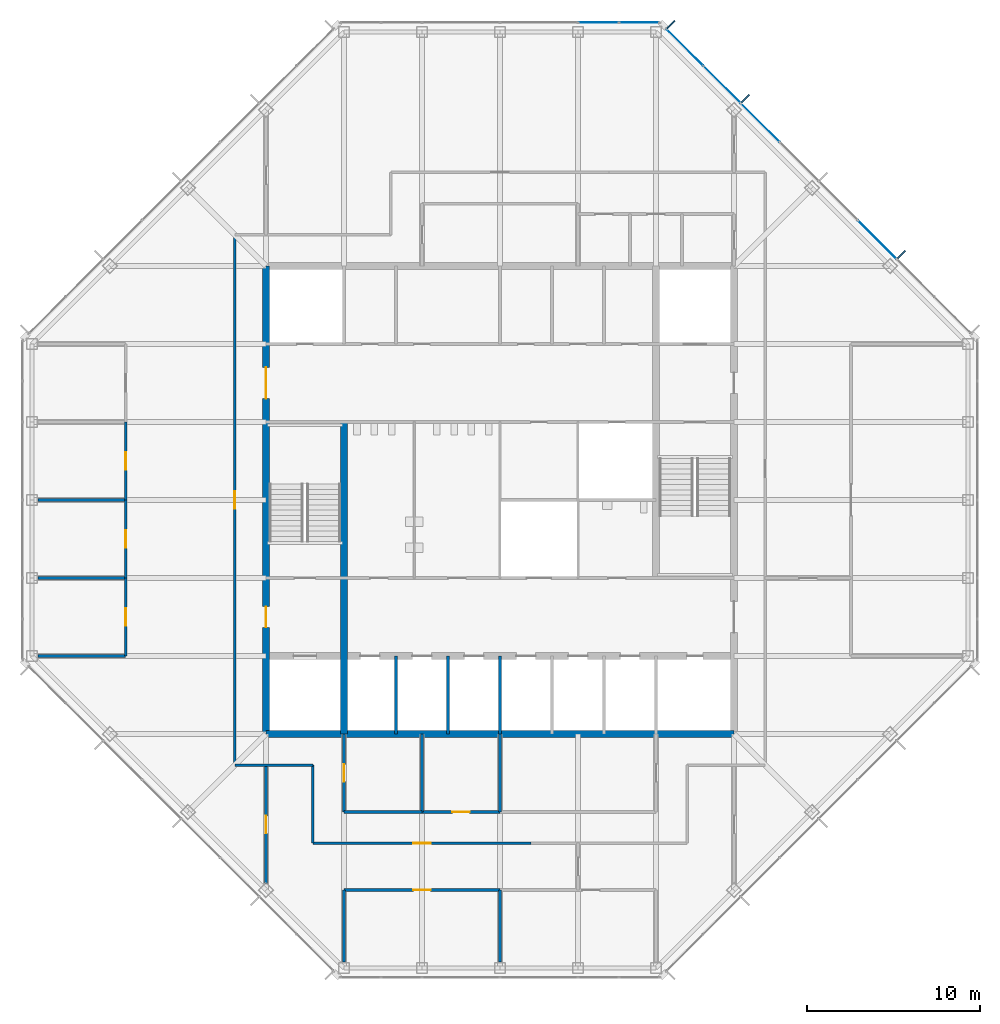
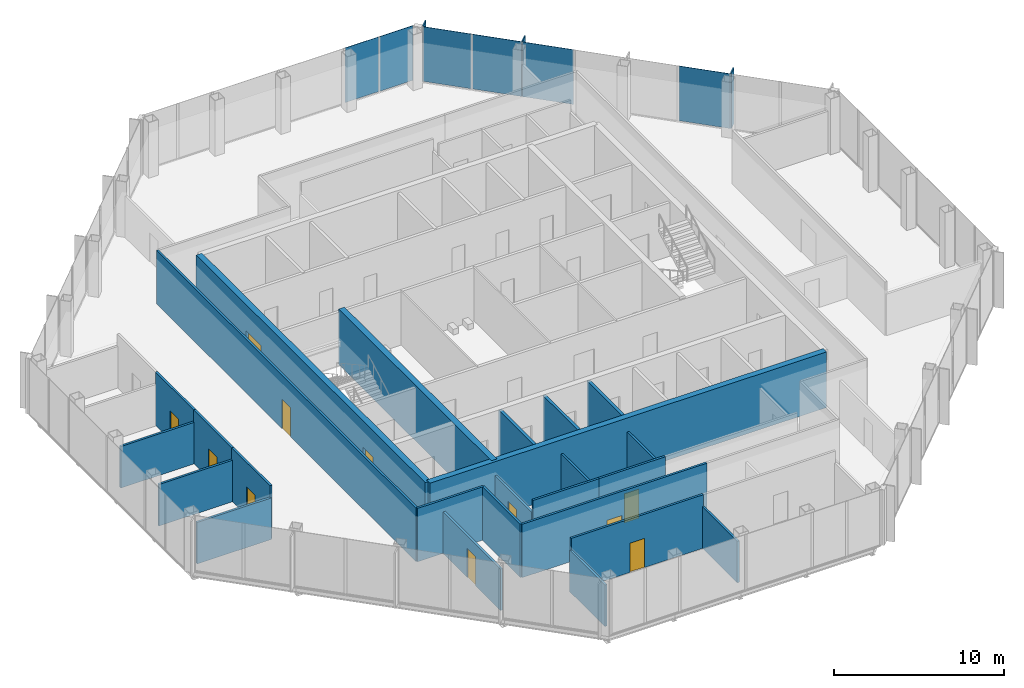
# One storey, part 9 of 14: 25 walls, 11 doors, 9 plates, 11 openings, 2 elements without a shape of their own.
"""IFC4 building model written with IfcOpenShell, lengths in metres."""

from ifc_helpers import new_model, si_unit, direction, frame, frame_2d, origin, origin_2d, place, context, subcontext, project, spatial, rectangle, extrude, material, layer, layer_set, type_object, element, fill, aggregate, save


model = new_model("IFC4")

# Units and contexts
model_context = context("Model", 3, precision=1e-05, world=origin(), true_north=direction((0.0, 1.0)))
body_context = subcontext(model_context, "Body", "Model", "MODEL_VIEW")
ifc_project = project(units=[si_unit("LENGTHUNIT", "METRE"), si_unit("AREAUNIT", "SQUARE_METRE"), si_unit("VOLUMEUNIT", "CUBIC_METRE"), si_unit("PLANEANGLEUNIT", "RADIAN"), si_unit("MASSUNIT", "GRAM", prefix="KILO")], contexts=[model_context])

# Site, building, storey
site_placement = place(None, origin())
site = spatial("IfcSite", under=ifc_project, at=site_placement, CompositionType="ELEMENT")
building_placement = place(site_placement, origin())
building = spatial("IfcBuilding", under=site, at=building_placement, Name="Corais Broadcast Tower", CompositionType="ELEMENT")
storey_placement = place(building_placement, frame((0.0, 0.0, 234.60009765625)))
storey = spatial("IfcBuildingStorey", under=building, at=storey_placement, Name="L54", CompositionType="ELEMENT", Elevation=234.60009765625)

# Curtain wall, plate
ifc_material_1 = material(Name="Aluminium and glass", Category="aluminium")
curtain_wall_type = type_object("IfcCurtainWallType", Name="Unitised fritted curtain wall CW3", PredefinedType="NOTDEFINED", material=ifc_material_1)
curtain_wall_1_placement = place(storey_placement, origin())
curtain_wall_1 = element("IfcCurtainWall", 1, at=curtain_wall_1_placement, inside=storey, type_object=curtain_wall_type, Name="CW3 curtain wall L54 4", PredefinedType="NOTDEFINED")
ifc_material_2 = material(Name="Ceramic-fritted laminated glass", Category="glass")
ifc_layer_1 = layer(ifc_material_2, 0.02587890625)
ifc_layer_set_1 = layer_set([ifc_layer_1], Name="Ceramic-fritted laminated glass")
plate_type_1 = type_object("IfcPlateType", Name="Fritted glass panel CW3", PredefinedType="CURTAIN_PANEL", material=ifc_layer_set_1)
plate_1_placement = place(storey_placement, frame((32.681884765625, 54.550048828125, 0.06494140625), z_axis=(0.0, 0.0, 1.0), x_axis=(1.0, 0.0, 0.0)))
plate_1 = element("IfcPlate", 2, at=plate_1_placement, type_object=plate_type_1, Name="CW3 panel 5", PredefinedType="CURTAIN_PANEL", context=body_context, shape_type="SweptSolid", body=[
    extrude(rectangle(XDim=2.298828125, YDim=0.02587890625, at=origin_2d()), origin(), (0.0, 0.0, 1.0), 3.93505859375),
])

# Curtain wall, plates
curtain_wall_2_placement = place(storey_placement, origin())
curtain_wall_2 = element("IfcCurtainWall", 3, at=curtain_wall_2_placement, inside=storey, type_object=curtain_wall_type, Name="CW3 curtain wall L54 5", PredefinedType="NOTDEFINED")
plate_2_placement = place(storey_placement, frame((37.669677734375, 53.108154296875, 0.06494140625), z_axis=(0.0, 0.0, 1.0), x_axis=(0.707106781187, -0.707106781187, 0.0)))
plate_2 = element("IfcPlate", 4, at=plate_2_placement, type_object=plate_type_1, Name="CW3 panel 1", PredefinedType="CURTAIN_PANEL", context=body_context, shape_type="SweptSolid", body=[
    extrude(rectangle(XDim=2.9482421875, YDim=0.02587890625, at=origin_2d()), origin(), (0.0, 0.0, 1.0), 3.93505859375),
])
plate_3_placement = place(storey_placement, frame((42.013916015625, 48.763916015625, 0.06494140625), z_axis=(0.0, 0.0, 1.0), x_axis=(0.707106781187, -0.707106781187, 0.0)))
plate_3 = element("IfcPlate", 5, at=plate_3_placement, type_object=plate_type_1, Name="CW3 panel 3", PredefinedType="CURTAIN_PANEL", context=body_context, shape_type="SweptSolid", body=[
    extrude(rectangle(XDim=3.116943359375, YDim=0.02587890625, at=origin_2d()), origin(), (0.0, 0.0, 1.0), 3.93505859375),
])

# Plate
ifc_material_3 = material(Name="Clear laminated glass", Category="glass")
ifc_layer_2 = layer(ifc_material_3, 0.030029296875)
ifc_layer_set_2 = layer_set([ifc_layer_2], Name="Clear laminated glass")
plate_type_2 = type_object("IfcPlateType", Name="Operable glass panel CW3", PredefinedType="CURTAIN_PANEL", material=ifc_layer_set_2)
plate_4_placement = place(storey_placement, frame((35.029541015625, 54.550048828125, 0.06494140625), z_axis=(0.0, 0.0, 1.0), x_axis=(1.0, 0.0, 0.0)))
plate_4 = element("IfcPlate", 6, at=plate_4_placement, type_object=plate_type_2, Name="CW3 operable panel 6", PredefinedType="CURTAIN_PANEL", context=body_context, shape_type="SweptSolid", body=[
    extrude(rectangle(XDim=2.266357421875, YDim=0.030029296875, at=origin_2d()), origin(), (0.0, 0.0, 1.0), 3.93505859375),
])

aggregate(curtain_wall_1, [plate_1, plate_4])

plate_5_placement = place(storey_placement, frame((39.81201171875, 50.9658203125, 0.06494140625), z_axis=(0.0, 0.0, 1.0), x_axis=(0.707106781187, -0.707106781187, 0.0)))
plate_5 = element("IfcPlate", 7, at=plate_5_placement, type_object=plate_type_2, Name="CW3 operable panel 2", PredefinedType="CURTAIN_PANEL", context=body_context, shape_type="SweptSolid", body=[
    extrude(rectangle(XDim=2.98095703125, YDim=0.030029296875, at=origin_2d()), origin(), (0.0, 0.0, 1.0), 3.93505859375),
])

plate_6_placement = place(storey_placement, frame((48.763916015625, 42.013916015625, 0.06494140625), z_axis=(0.0, 0.0, 1.0), x_axis=(0.707106781187, -0.707106781187, 0.0)))
plate_6 = element("IfcPlate", 8, at=plate_6_placement, type_object=plate_type_2, Name="CW3 operable panel 6", PredefinedType="CURTAIN_PANEL", context=body_context, shape_type="SweptSolid", body=[
    extrude(rectangle(XDim=3.116943359375, YDim=0.030029296875, at=origin_2d()), origin(), (0.0, 0.0, 1.0), 3.93505859375),
])

aggregate(curtain_wall_2, [plate_2, plate_5, plate_3, plate_6])

# Plates
ifc_material_4 = material(Name="Granite stone cladding", Category="masonry")
ifc_layer_3 = layer(ifc_material_4, 0.080078125)
ifc_layer_set_3 = layer_set([ifc_layer_3], Name="Granite stone cladding")
plate_type_3 = type_object("IfcPlateType", Name="Stone screen fin 80x600", PredefinedType="USERDEFINED", material=ifc_layer_set_3)
for number, where, z_axis, x_axis, name in (
    (9, (36.870849609375, 54.43994140625, 0.0), (0.0, 0.0, 1.0), (0.707106781187, -0.707106781187, 0.0), "SF1 stone screen fin L54"),
    (10, (41.155517578125, 50.155517578125, 0.0), (0.0, 0.0, 1.0), (0.707106781187, -0.707106781187, 0.0), "SF1 stone screen fin L54"),
    (11, (50.155517578125, 41.155517578125, 0.0), (0.0, 0.0, 1.0), (0.707106781187, -0.707106781187, 0.0), "SF1 stone screen fin L54"),
):
    element("IfcPlate", number, at=place(storey_placement, frame(where, z_axis=z_axis, x_axis=x_axis)), inside=storey, type_object=plate_type_3, Name=name, ObjectType="STONE SCREEN FIN", PredefinedType="USERDEFINED", context=body_context, shape_type="SweptSolid", body=[
        extrude(rectangle(XDim=0.080078125, YDim=0.60009765625, at=origin_2d()), origin(), (0.0, 0.0, 1.0), 4.0),
    ])

# Wall
ifc_material_5 = material(Name="Concrete C50/60", Category="concrete")
ifc_layer_4 = layer(ifc_material_5, 0.39990234375)
ifc_layer_set_4 = layer_set([ifc_layer_4], Name="Concrete C50/60")
wall_type_1 = type_object("IfcWallType", Name="Core wall 400", PredefinedType="SHEAR", material=ifc_layer_set_4)
wall_1_placement = place(storey_placement, frame((13.5, 13.5, 0.0), z_axis=(0.0, 0.0, 1.0), x_axis=(1.0, 0.0, 0.0)))
element("IfcWall", 12, at=wall_1_placement, inside=storey, type_object=wall_type_1, Name="CR400 core wall S L54", PredefinedType="SHEAR", context=body_context, shape_type="SweptSolid", body=[
    extrude(rectangle(XDim=27.0, YDim=0.39990234375, at=frame_2d((13.5, 0.0))), origin(), (0.0, 0.0, 1.0), 4.0),
])

# Wall, openings, doors
wall_2_placement = place(storey_placement, frame((13.5, 40.5, 0.0), z_axis=(0.0, 0.0, 1.0), x_axis=(0.0, -1.0, 0.0)))
wall_2 = element("IfcWall", 13, at=wall_2_placement, inside=storey, type_object=wall_type_1, Name="CR400 core wall W L54", PredefinedType="SHEAR", context=body_context, shape_type="SweptSolid", body=[
    extrude(rectangle(XDim=27.0, YDim=0.39990234375, at=frame_2d((13.5, 0.0))), origin(), (0.0, 0.0, 1.0), 4.0),
])
opening_1_placement = place(wall_2_placement, frame((19.64990234375, 0.0, 0.0)))
opening_1 = element("IfcOpeningElement", 14, at=opening_1_placement, cuts=wall_2, Name="Opening FD1", PredefinedType="OPENING", context=body_context, shape_type="SweptSolid", body=[
    extrude(rectangle(XDim=1.199951171875, YDim=2.10009765625, at=frame_2d((0.60009765625, 1.050048828125))), frame((0.0, 0.2099609375, 0.0), z_axis=(0.0, -1.0, 0.0), x_axis=(1.0, 0.0, 0.0)), (0.0, 0.0, 1.0), 0.419921875),
])
opening_2_placement = place(wall_2_placement, frame((5.85009765625, 0.0, 0.0)))
opening_2 = element("IfcOpeningElement", 15, at=opening_2_placement, cuts=wall_2, Name="Opening FD2", PredefinedType="OPENING", context=body_context, shape_type="SweptSolid", body=[
    extrude(rectangle(XDim=1.800048828125, YDim=2.10009765625, at=frame_2d((0.89990234375, 1.050048828125))), frame((0.0, 0.2099609375, 0.0), z_axis=(0.0, -1.0, 0.0), x_axis=(1.0, 0.0, 0.0)), (0.0, 0.0, 1.0), 0.419921875),
])
ifc_material_6 = material(Name="Steel fire door", Category="steel")
door_type_1 = type_object("IfcDoorType", Name="Fire door 1200x2100", OperationType="SINGLE_SWING_LEFT", PredefinedType="DOOR", material=ifc_material_6)
door_1_placement = place(opening_1_placement, origin())
door_1 = element("IfcDoor", 16, at=door_1_placement, inside=storey, type_object=door_type_1, Name="FD1 fire lobby A door L54", OperationType="SINGLE_SWING_RIGHT", OverallHeight=2.10009765625, OverallWidth=1.199951171875, PredefinedType="DOOR", context=body_context, shape_type="SweptSolid", body=[
    extrude(rectangle(XDim=1.199951171875, YDim=2.10009765625, at=frame_2d((0.60009765625, 1.050048828125))), frame((0.0, 0.02490234375, 0.0), z_axis=(0.0, -1.0, 0.0), x_axis=(1.0, 0.0, 0.0)), (0.0, 0.0, 1.0), 0.050048828125),
])
fill(opening_1, door_1)
ifc_material_7 = material(Name="Steel fire door", Category="steel")
door_type_2 = type_object("IfcDoorType", Name="Fire door pair 1800x2100", OperationType="DOUBLE_DOOR_SINGLE_SWING", PredefinedType="DOOR", material=ifc_material_7)
door_2_placement = place(opening_2_placement, origin())
door_2 = element("IfcDoor", 17, at=door_2_placement, inside=storey, type_object=door_type_2, Name="FD2 lift lobby door L54", OperationType="SINGLE_SWING_LEFT", OverallHeight=2.10009765625, OverallWidth=1.800048828125, PredefinedType="DOOR", context=body_context, shape_type="SweptSolid", body=[
    extrude(rectangle(XDim=1.800048828125, YDim=2.10009765625, at=frame_2d((0.89990234375, 1.050048828125))), frame((0.0, 0.02490234375, 0.0), z_axis=(0.0, -1.0, 0.0), x_axis=(1.0, 0.0, 0.0)), (0.0, 0.0, 1.0), 0.050048828125),
])
fill(opening_2, door_2)

# Wall
wall_3_placement = place(storey_placement, frame((18.0, 13.5, 0.0), z_axis=(0.0, 0.0, 1.0), x_axis=(0.0, 1.0, 0.0)))
element("IfcWall", 18, at=wall_3_placement, inside=storey, type_object=wall_type_1, Name="CR400 core wall X18A L54", PredefinedType="SHEAR", context=body_context, shape_type="SweptSolid", body=[
    extrude(rectangle(XDim=18.0, YDim=0.39990234375, at=frame_2d((9.0, 0.0))), origin(), (0.0, 0.0, 1.0), 4.0),
])

# Wall, opening, door
ifc_material_8 = material(Name="Gypsum board on steel studs", Category="steel")
ifc_layer_5 = layer(ifc_material_8, 0.14990234375)
ifc_layer_set_5 = layer_set([ifc_layer_5], Name="Gypsum board on steel studs")
wall_type_2 = type_object("IfcWallType", Name="Partition 150", PredefinedType="PARTITIONING", material=ifc_layer_set_5)
wall_4_placement = place(storey_placement, frame((11.699951171875, 42.300048828125, 0.0), z_axis=(0.0, 0.0, 1.0), x_axis=(0.0, -1.0, 0.0)))
wall_4 = element("IfcWall", 19, at=wall_4_placement, inside=storey, type_object=wall_type_2, Name="IW3 corridor wall L54", PredefinedType="PARTITIONING", context=body_context, shape_type="SweptSolid", body=[
    extrude(rectangle(XDim=30.60009765625, YDim=0.14990234375, at=frame_2d((15.300048828125, 0.0))), origin(), (0.0, 0.0, 1.0), 3.83984375),
])
opening_3_placement = place(wall_4_placement, frame((14.800048828125, 0.0, 0.0)))
opening_3 = element("IfcOpeningElement", 20, at=opening_3_placement, cuts=wall_4, Name="Opening D1", PredefinedType="OPENING", context=body_context, shape_type="SweptSolid", body=[
    extrude(rectangle(XDim=1.0, YDim=2.10009765625, at=frame_2d((0.5, 1.050048828125))), frame((0.0, 0.0849609375, 0.0), z_axis=(0.0, -1.0, 0.0), x_axis=(1.0, 0.0, 0.0)), (0.0, 0.0, 1.0), 0.169921875),
])
ifc_material_9 = material(Name="Timber door", Category="wood")
door_type_3 = type_object("IfcDoorType", Name="Single door 1000x2100", OperationType="SINGLE_SWING_LEFT", PredefinedType="DOOR", material=ifc_material_9)
door_3_placement = place(opening_3_placement, origin())
door_3 = element("IfcDoor", 21, at=door_3_placement, inside=storey, type_object=door_type_3, Name="D1 workplace door L54", OperationType="SINGLE_SWING_LEFT", OverallHeight=2.10009765625, OverallWidth=1.0, PredefinedType="DOOR", context=body_context, shape_type="SweptSolid", body=[
    extrude(rectangle(XDim=1.0, YDim=2.10009765625, at=frame_2d((0.5, 1.050048828125))), frame((0.0, 0.02490234375, 0.0), z_axis=(0.0, -1.0, 0.0), x_axis=(1.0, 0.0, 0.0)), (0.0, 0.0, 1.0), 0.050048828125),
])
fill(opening_3, door_3)

wall_5_placement = place(storey_placement, frame((16.199951171875, 7.199951171875, 0.0), z_axis=(0.0, 0.0, 1.0), x_axis=(1.0, 0.0, 0.0)))
wall_5 = element("IfcWall", 22, at=wall_5_placement, inside=storey, type_object=wall_type_2, Name="IW3 corridor wall L54", PredefinedType="PARTITIONING", context=body_context, shape_type="SweptSolid", body=[
    extrude(rectangle(XDim=12.60009765625, YDim=0.14990234375, at=frame_2d((6.300048828125, 0.0))), origin(), (0.0, 0.0, 1.0), 3.83984375),
])
opening_4_placement = place(wall_5_placement, frame((5.800048828125, 0.0, 0.0)))
opening_4 = element("IfcOpeningElement", 23, at=opening_4_placement, cuts=wall_5, Name="Opening D1", PredefinedType="OPENING", context=body_context, shape_type="SweptSolid", body=[
    extrude(rectangle(XDim=1.0, YDim=2.10009765625, at=frame_2d((0.5, 1.050048828125))), frame((0.0, 0.0849609375, 0.0), z_axis=(0.0, -1.0, 0.0), x_axis=(1.0, 0.0, 0.0)), (0.0, 0.0, 1.0), 0.169921875),
])
door_4_placement = place(opening_4_placement, origin())
door_4 = element("IfcDoor", 24, at=door_4_placement, inside=storey, type_object=door_type_3, Name="D1 workplace door L54", OperationType="SINGLE_SWING_LEFT", OverallHeight=2.10009765625, OverallWidth=1.0, PredefinedType="DOOR", context=body_context, shape_type="SweptSolid", body=[
    extrude(rectangle(XDim=1.0, YDim=2.10009765625, at=frame_2d((0.5, 1.050048828125))), frame((0.0, 0.02490234375, 0.0), z_axis=(0.0, -1.0, 0.0), x_axis=(1.0, 0.0, 0.0)), (0.0, 0.0, 1.0), 0.050048828125),
])
fill(opening_4, door_4)

# Walls
for number, where, z_axis, x_axis, name in (
    (25, (11.699951171875, 11.699951171875, 0.0), (0.0, 0.0, 1.0), (1.0, 0.0, 0.0), "IW3 corridor wall L54"),
    (26, (16.199951171875, 11.699951171875, 0.0), (0.0, 0.0, 1.0), (0.0, -1.0, 0.0), "IW3 corridor wall L54"),
):
    element("IfcWall", number, at=place(storey_placement, frame(where, z_axis=z_axis, x_axis=x_axis)), inside=storey, type_object=wall_type_2, Name=name, PredefinedType="PARTITIONING", context=body_context, shape_type="SweptSolid", body=[
        extrude(rectangle(XDim=4.5, YDim=0.14990234375, at=frame_2d((2.25, 0.0))), origin(), (0.0, 0.0, 1.0), 3.83984375),
    ])
wall_6_placement = place(storey_placement, frame((27.0, 13.5, 0.0), z_axis=(0.0, 0.0, 1.0), x_axis=(0.0, -1.0, 0.0)))
element("IfcWall", 27, at=wall_6_placement, inside=storey, type_object=wall_type_2, Name="IW3 partition L54", PredefinedType="PARTITIONING", context=body_context, shape_type="SweptSolid", body=[
    extrude(rectangle(XDim=4.5, YDim=0.14990234375, at=frame_2d((2.25, 0.0))), origin(), (0.0, 0.0, 1.0), 2.989013671875),
])
wall_7_placement = place(storey_placement, frame((0.3349609375, 18.0, 0.0), z_axis=(0.0, 0.0, 1.0), x_axis=(1.0, 0.0, 0.0)))
element("IfcWall", 28, at=wall_7_placement, inside=storey, type_object=wall_type_2, Name="IW3 partition L54", PredefinedType="PARTITIONING", context=body_context, shape_type="SweptSolid", body=[
    extrude(rectangle(XDim=5.06494140625, YDim=0.14990234375, at=frame_2d((2.532470703125, 0.0))), origin(), (0.0, 0.0, 1.0), 2.989013671875),
])

# Wall, opening, door
wall_8_placement = place(storey_placement, frame((5.39990234375, 18.0, 0.0), z_axis=(0.0, 0.0, 1.0), x_axis=(0.0, 1.0, 0.0)))
wall_8 = element("IfcWall", 29, at=wall_8_placement, inside=storey, type_object=wall_type_2, Name="IW3 partition L54", PredefinedType="PARTITIONING", context=body_context, shape_type="SweptSolid", body=[
    extrude(rectangle(XDim=4.5, YDim=0.14990234375, at=frame_2d((2.25, 0.0))), origin(), (0.0, 0.0, 1.0), 3.83984375),
])
opening_5_placement = place(wall_8_placement, frame((1.75, 0.0, 0.0)))
opening_5 = element("IfcOpeningElement", 30, at=opening_5_placement, cuts=wall_8, Name="Opening D1", PredefinedType="OPENING", context=body_context, shape_type="SweptSolid", body=[
    extrude(rectangle(XDim=1.0, YDim=2.10009765625, at=frame_2d((0.5, 1.050048828125))), frame((0.0, 0.0849609375, 0.0), z_axis=(0.0, -1.0, 0.0), x_axis=(1.0, 0.0, 0.0)), (0.0, 0.0, 1.0), 0.169921875),
])
door_5_placement = place(opening_5_placement, origin())
door_5 = element("IfcDoor", 31, at=door_5_placement, inside=storey, type_object=door_type_3, Name="D1 Focus room door", OperationType="SINGLE_SWING_LEFT", OverallHeight=2.10009765625, OverallWidth=1.0, PredefinedType="DOOR", context=body_context, shape_type="SweptSolid", body=[
    extrude(rectangle(XDim=1.0, YDim=2.10009765625, at=frame_2d((0.5, 1.050048828125))), frame((0.0, 0.02490234375, 0.0), z_axis=(0.0, -1.0, 0.0), x_axis=(1.0, 0.0, 0.0)), (0.0, 0.0, 1.0), 0.050048828125),
])
fill(opening_5, door_5)

# Wall
wall_9_placement = place(storey_placement, frame((5.39990234375, 22.5, 0.0), z_axis=(0.0, 0.0, 1.0), x_axis=(-1.0, 0.0, 0.0)))
element("IfcWall", 32, at=wall_9_placement, inside=storey, type_object=wall_type_2, Name="IW3 partition L54", PredefinedType="PARTITIONING", context=body_context, shape_type="SweptSolid", body=[
    extrude(rectangle(XDim=5.06494140625, YDim=0.14990234375, at=frame_2d((2.532470703125, 0.0))), origin(), (0.0, 0.0, 1.0), 2.989013671875),
])

# Wall, opening, door
wall_10_placement = place(storey_placement, frame((5.39990234375, 22.5, 0.0), z_axis=(0.0, 0.0, 1.0), x_axis=(0.0, 1.0, 0.0)))
wall_10 = element("IfcWall", 33, at=wall_10_placement, inside=storey, type_object=wall_type_2, Name="IW3 partition L54", PredefinedType="PARTITIONING", context=body_context, shape_type="SweptSolid", body=[
    extrude(rectangle(XDim=4.5, YDim=0.14990234375, at=frame_2d((2.25, 0.0))), origin(), (0.0, 0.0, 1.0), 3.83984375),
])
opening_6_placement = place(wall_10_placement, frame((1.75, 0.0, 0.0)))
opening_6 = element("IfcOpeningElement", 34, at=opening_6_placement, cuts=wall_10, Name="Opening D1", PredefinedType="OPENING", context=body_context, shape_type="SweptSolid", body=[
    extrude(rectangle(XDim=1.0, YDim=2.10009765625, at=frame_2d((0.5, 1.050048828125))), frame((0.0, 0.0849609375, 0.0), z_axis=(0.0, -1.0, 0.0), x_axis=(1.0, 0.0, 0.0)), (0.0, 0.0, 1.0), 0.169921875),
])
door_6_placement = place(opening_6_placement, origin())
door_6 = element("IfcDoor", 35, at=door_6_placement, inside=storey, type_object=door_type_3, Name="D1 Focus room door", OperationType="SINGLE_SWING_LEFT", OverallHeight=2.10009765625, OverallWidth=1.0, PredefinedType="DOOR", context=body_context, shape_type="SweptSolid", body=[
    extrude(rectangle(XDim=1.0, YDim=2.10009765625, at=frame_2d((0.5, 1.050048828125))), frame((0.0, 0.02490234375, 0.0), z_axis=(0.0, -1.0, 0.0), x_axis=(1.0, 0.0, 0.0)), (0.0, 0.0, 1.0), 0.050048828125),
])
fill(opening_6, door_6)

# Wall
wall_11_placement = place(storey_placement, frame((5.39990234375, 27.0, 0.0), z_axis=(0.0, 0.0, 1.0), x_axis=(-1.0, 0.0, 0.0)))
element("IfcWall", 36, at=wall_11_placement, inside=storey, type_object=wall_type_2, Name="IW3 partition L54", PredefinedType="PARTITIONING", context=body_context, shape_type="SweptSolid", body=[
    extrude(rectangle(XDim=5.06494140625, YDim=0.14990234375, at=frame_2d((2.532470703125, 0.0))), origin(), (0.0, 0.0, 1.0), 2.989013671875),
])

# Wall, opening, door
wall_12_placement = place(storey_placement, frame((5.39990234375, 27.0, 0.0), z_axis=(0.0, 0.0, 1.0), x_axis=(0.0, 1.0, 0.0)))
wall_12 = element("IfcWall", 37, at=wall_12_placement, inside=storey, type_object=wall_type_2, Name="IW3 partition L54", PredefinedType="PARTITIONING", context=body_context, shape_type="SweptSolid", body=[
    extrude(rectangle(XDim=4.5, YDim=0.14990234375, at=frame_2d((2.25, 0.0))), origin(), (0.0, 0.0, 1.0), 3.83984375),
])
opening_7_placement = place(wall_12_placement, frame((1.75, 0.0, 0.0)))
opening_7 = element("IfcOpeningElement", 38, at=opening_7_placement, cuts=wall_12, Name="Opening D1", PredefinedType="OPENING", context=body_context, shape_type="SweptSolid", body=[
    extrude(rectangle(XDim=1.0, YDim=2.10009765625, at=frame_2d((0.5, 1.050048828125))), frame((0.0, 0.0849609375, 0.0), z_axis=(0.0, -1.0, 0.0), x_axis=(1.0, 0.0, 0.0)), (0.0, 0.0, 1.0), 0.169921875),
])
door_7_placement = place(opening_7_placement, origin())
door_7 = element("IfcDoor", 39, at=door_7_placement, inside=storey, type_object=door_type_3, Name="D1 Focus room door", OperationType="SINGLE_SWING_LEFT", OverallHeight=2.10009765625, OverallWidth=1.0, PredefinedType="DOOR", context=body_context, shape_type="SweptSolid", body=[
    extrude(rectangle(XDim=1.0, YDim=2.10009765625, at=frame_2d((0.5, 1.050048828125))), frame((0.0, 0.02490234375, 0.0), z_axis=(0.0, -1.0, 0.0), x_axis=(1.0, 0.0, 0.0)), (0.0, 0.0, 1.0), 0.050048828125),
])
fill(opening_7, door_7)

# Wall
wall_13_placement = place(storey_placement, frame((27.0, 0.3349609375, 0.0), z_axis=(0.0, 0.0, 1.0), x_axis=(0.0, 1.0, 0.0)))
element("IfcWall", 40, at=wall_13_placement, inside=storey, type_object=wall_type_2, Name="IW3 partition L54", PredefinedType="PARTITIONING", context=body_context, shape_type="SweptSolid", body=[
    extrude(rectangle(XDim=4.1650390625, YDim=0.14990234375, at=frame_2d((2.08251953125, 0.0))), origin(), (0.0, 0.0, 1.0), 2.989013671875),
])

# Wall, opening, door
wall_14_placement = place(storey_placement, frame((27.0, 4.5, 0.0), z_axis=(0.0, 0.0, 1.0), x_axis=(-1.0, 0.0, 0.0)))
wall_14 = element("IfcWall", 41, at=wall_14_placement, inside=storey, type_object=wall_type_2, Name="IW3 partition L54", PredefinedType="PARTITIONING", context=body_context, shape_type="SweptSolid", body=[
    extrude(rectangle(XDim=9.0, YDim=0.14990234375, at=frame_2d((4.5, 0.0))), origin(), (0.0, 0.0, 1.0), 3.83984375),
])
opening_8_placement = place(wall_14_placement, frame((4.0, 0.0, 0.0)))
opening_8 = element("IfcOpeningElement", 42, at=opening_8_placement, cuts=wall_14, Name="Opening D1", PredefinedType="OPENING", context=body_context, shape_type="SweptSolid", body=[
    extrude(rectangle(XDim=1.0, YDim=2.10009765625, at=frame_2d((0.5, 1.050048828125))), frame((0.0, 0.0849609375, 0.0), z_axis=(0.0, -1.0, 0.0), x_axis=(1.0, 0.0, 0.0)), (0.0, 0.0, 1.0), 0.169921875),
])
door_8_placement = place(opening_8_placement, origin())
door_8 = element("IfcDoor", 43, at=door_8_placement, inside=storey, type_object=door_type_3, Name="D1 Office door", OperationType="SINGLE_SWING_LEFT", OverallHeight=2.10009765625, OverallWidth=1.0, PredefinedType="DOOR", context=body_context, shape_type="SweptSolid", body=[
    extrude(rectangle(XDim=1.0, YDim=2.10009765625, at=frame_2d((0.5, 1.050048828125))), frame((0.0, 0.02490234375, 0.0), z_axis=(0.0, -1.0, 0.0), x_axis=(1.0, 0.0, 0.0)), (0.0, 0.0, 1.0), 0.050048828125),
])
fill(opening_8, door_8)

# Walls
wall_15_placement = place(storey_placement, frame((18.0, 4.5, 0.0), z_axis=(0.0, 0.0, 1.0), x_axis=(0.0, -1.0, 0.0)))
element("IfcWall", 44, at=wall_15_placement, inside=storey, type_object=wall_type_2, Name="IW3 partition L54", PredefinedType="PARTITIONING", context=body_context, shape_type="SweptSolid", body=[
    extrude(rectangle(XDim=4.1650390625, YDim=0.14990234375, at=frame_2d((2.08251953125, 0.0))), origin(), (0.0, 0.0, 1.0), 2.989013671875),
])
wall_16_placement = place(storey_placement, frame((18.0, 9.0, 0.0), z_axis=(0.0, 0.0, 1.0), x_axis=(1.0, 0.0, 0.0)))
element("IfcWall", 45, at=wall_16_placement, inside=storey, type_object=wall_type_2, Name="IW3 partition L54", PredefinedType="PARTITIONING", context=body_context, shape_type="SweptSolid", body=[
    extrude(rectangle(XDim=4.5, YDim=0.14990234375, at=frame_2d((2.25, 0.0))), origin(), (0.0, 0.0, 1.0), 3.83984375),
])
wall_17_placement = place(storey_placement, frame((22.5, 9.0, 0.0), z_axis=(0.0, 0.0, 1.0), x_axis=(0.0, 1.0, 0.0)))
element("IfcWall", 46, at=wall_17_placement, inside=storey, type_object=wall_type_2, Name="IW3 partition L54", PredefinedType="PARTITIONING", context=body_context, shape_type="SweptSolid", body=[
    extrude(rectangle(XDim=4.5, YDim=0.14990234375, at=frame_2d((2.25, 0.0))), origin(), (0.0, 0.0, 1.0), 2.989013671875),
])

# Wall, opening, door
wall_18_placement = place(storey_placement, frame((18.0, 13.5, 0.0), z_axis=(0.0, 0.0, 1.0), x_axis=(0.0, -1.0, 0.0)))
wall_18 = element("IfcWall", 47, at=wall_18_placement, inside=storey, type_object=wall_type_2, Name="IW3 partition L54", PredefinedType="PARTITIONING", context=body_context, shape_type="SweptSolid", body=[
    extrude(rectangle(XDim=4.5, YDim=0.14990234375, at=frame_2d((2.25, 0.0))), origin(), (0.0, 0.0, 1.0), 2.989013671875),
])
opening_9_placement = place(wall_18_placement, frame((1.75, 0.0, 0.0)))
opening_9 = element("IfcOpeningElement", 48, at=opening_9_placement, cuts=wall_18, Name="Opening D1", PredefinedType="OPENING", context=body_context, shape_type="SweptSolid", body=[
    extrude(rectangle(XDim=1.0, YDim=2.10009765625, at=frame_2d((0.5, 1.050048828125))), frame((0.0, 0.0849609375, 0.0), z_axis=(0.0, -1.0, 0.0), x_axis=(1.0, 0.0, 0.0)), (0.0, 0.0, 1.0), 0.169921875),
])
door_9_placement = place(opening_9_placement, origin())
door_9 = element("IfcDoor", 49, at=door_9_placement, inside=storey, type_object=door_type_3, Name="D1 Interview room door", OperationType="SINGLE_SWING_LEFT", OverallHeight=2.10009765625, OverallWidth=1.0, PredefinedType="DOOR", context=body_context, shape_type="SweptSolid", body=[
    extrude(rectangle(XDim=1.0, YDim=2.10009765625, at=frame_2d((0.5, 1.050048828125))), frame((0.0, 0.02490234375, 0.0), z_axis=(0.0, -1.0, 0.0), x_axis=(1.0, 0.0, 0.0)), (0.0, 0.0, 1.0), 0.050048828125),
])
fill(opening_9, door_9)

wall_19_placement = place(storey_placement, frame((22.5, 9.0, 0.0), z_axis=(0.0, 0.0, 1.0), x_axis=(1.0, 0.0, 0.0)))
wall_19 = element("IfcWall", 50, at=wall_19_placement, inside=storey, type_object=wall_type_2, Name="IW3 partition L54", PredefinedType="PARTITIONING", context=body_context, shape_type="SweptSolid", body=[
    extrude(rectangle(XDim=4.5, YDim=0.14990234375, at=frame_2d((2.25, 0.0))), origin(), (0.0, 0.0, 1.0), 3.83984375),
])
opening_10_placement = place(wall_19_placement, frame((1.75, 0.0, 0.0)))
opening_10 = element("IfcOpeningElement", 51, at=opening_10_placement, cuts=wall_19, Name="Opening D1", PredefinedType="OPENING", context=body_context, shape_type="SweptSolid", body=[
    extrude(rectangle(XDim=1.0, YDim=2.10009765625, at=frame_2d((0.5, 1.050048828125))), frame((0.0, 0.0849609375, 0.0), z_axis=(0.0, -1.0, 0.0), x_axis=(1.0, 0.0, 0.0)), (0.0, 0.0, 1.0), 0.169921875),
])
door_10_placement = place(opening_10_placement, origin())
door_10 = element("IfcDoor", 52, at=door_10_placement, inside=storey, type_object=door_type_3, Name="D1 Interview room door", OperationType="SINGLE_SWING_LEFT", OverallHeight=2.10009765625, OverallWidth=1.0, PredefinedType="DOOR", context=body_context, shape_type="SweptSolid", body=[
    extrude(rectangle(XDim=1.0, YDim=2.10009765625, at=frame_2d((0.5, 1.050048828125))), frame((0.0, 0.02490234375, 0.0), z_axis=(0.0, -1.0, 0.0), x_axis=(1.0, 0.0, 0.0)), (0.0, 0.0, 1.0), 0.050048828125),
])
fill(opening_10, door_10)

wall_20_placement = place(storey_placement, frame((13.5, 4.844970703125, 0.0), z_axis=(0.0, 0.0, 1.0), x_axis=(0.0, 1.0, 0.0)))
wall_20 = element("IfcWall", 53, at=wall_20_placement, inside=storey, type_object=wall_type_2, Name="IW3 partition L54", PredefinedType="PARTITIONING", context=body_context, shape_type="SweptSolid", body=[
    extrude(rectangle(XDim=6.85498046875, YDim=0.14990234375, at=frame_2d((3.427490234375, 0.0))), origin(), (0.0, 0.0, 1.0), 2.989013671875),
])
opening_11_placement = place(wall_20_placement, frame((2.927490234375, 0.0, 0.0)))
opening_11 = element("IfcOpeningElement", 54, at=opening_11_placement, cuts=wall_20, Name="Opening D1", PredefinedType="OPENING", context=body_context, shape_type="SweptSolid", body=[
    extrude(rectangle(XDim=1.0, YDim=2.10009765625, at=frame_2d((0.5, 1.050048828125))), frame((0.0, 0.0849609375, 0.0), z_axis=(0.0, -1.0, 0.0), x_axis=(1.0, 0.0, 0.0)), (0.0, 0.0, 1.0), 0.169921875),
])
door_11_placement = place(opening_11_placement, origin())
door_11 = element("IfcDoor", 55, at=door_11_placement, inside=storey, type_object=door_type_3, Name="D1 team room door L54", OperationType="SINGLE_SWING_LEFT", OverallHeight=2.10009765625, OverallWidth=1.0, PredefinedType="DOOR", context=body_context, shape_type="SweptSolid", body=[
    extrude(rectangle(XDim=1.0, YDim=2.10009765625, at=frame_2d((0.5, 1.050048828125))), frame((0.0, 0.02490234375, 0.0), z_axis=(0.0, -1.0, 0.0), x_axis=(1.0, 0.0, 0.0)), (0.0, 0.0, 1.0), 0.050048828125),
])
fill(opening_11, door_11)

# Walls
ifc_material_10 = material(Name="Concrete blockwork class A, grouted, two-hour", Category="masonry")
ifc_layer_6 = layer(ifc_material_10, 0.199951171875)
ifc_layer_set_6 = layer_set([ifc_layer_6], Name="Concrete blockwork class A, grouted, two-hour")
wall_type_3 = type_object("IfcWallType", Name="Shaft wall 200", PredefinedType="PARTITIONING", material=ifc_layer_set_6)
for number, where, z_axis, x_axis, name in (
    (56, (21.0, 13.5, 0.0), (0.0, 0.0, 1.0), (0.0, 1.0, 0.0), "IW1 shaft wall L54"),
    (57, (24.0, 13.5, 0.0), (0.0, 0.0, 1.0), (0.0, 1.0, 0.0), "IW1 shaft wall L54"),
    (58, (27.0, 13.5, 0.0), (0.0, 0.0, 1.0), (0.0, 1.0, 0.0), "IW1 shaft wall L54"),
):
    element("IfcWall", number, at=place(storey_placement, frame(where, z_axis=z_axis, x_axis=x_axis)), inside=storey, type_object=wall_type_3, Name=name, PredefinedType="PARTITIONING", context=body_context, shape_type="SweptSolid", body=[
        extrude(rectangle(XDim=4.5, YDim=0.199951171875, at=frame_2d((2.25, 0.0))), origin(), (0.0, 0.0, 1.0), 3.83984375),
    ])

save(model, "model.ifc")
